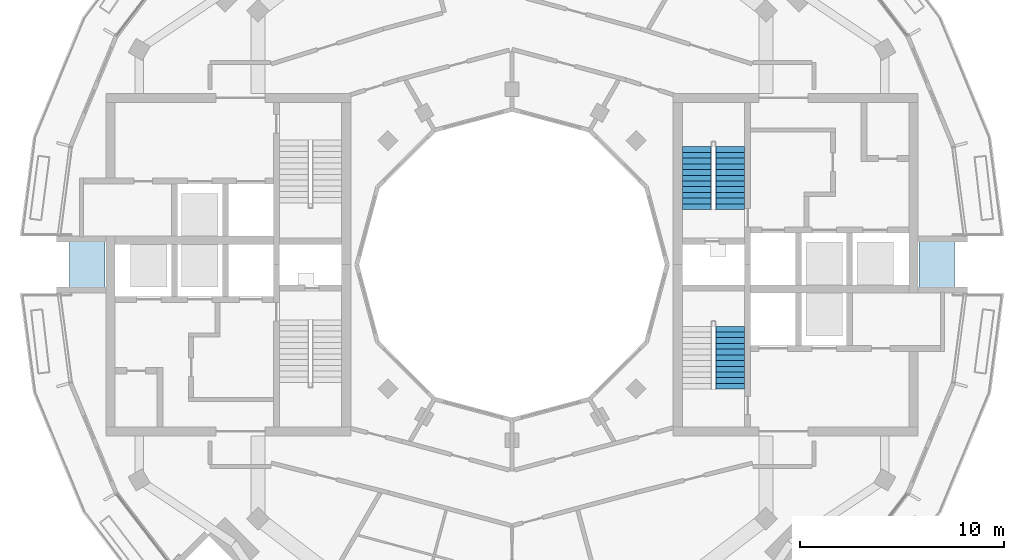
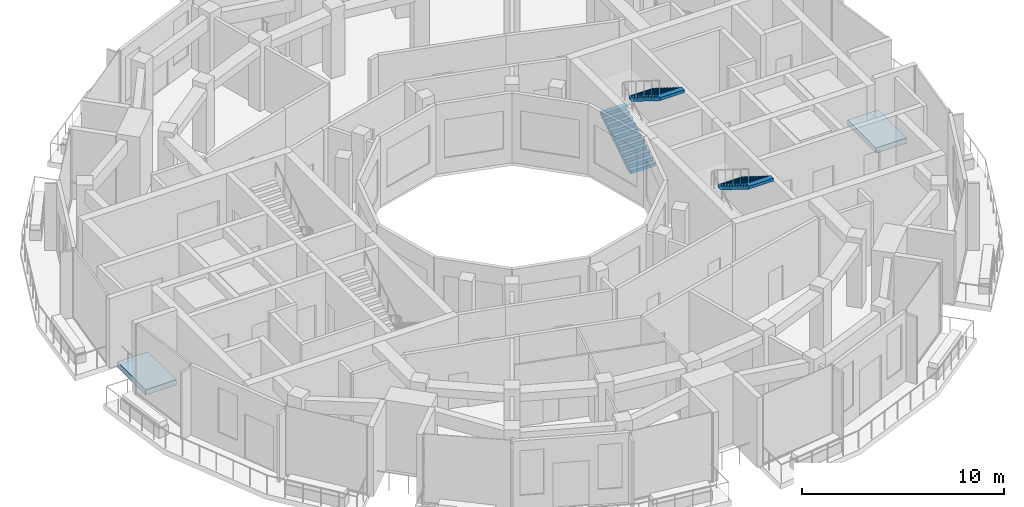
# One storey, part 13 of 16: 3 stair flights, 2 roofs, 2 elements without a shape of their own.
"""IFC4 building model written with IfcOpenShell, lengths in metres."""

from ifc_helpers import new_model, si_unit, direction, frame, origin, place, context, subcontext, project, spatial, polyline, outline, extrude, material, layer, layer_set, type_object, element, aggregate, save


model = new_model("IFC4")

# Units and contexts
model_context = context("Model", 3, precision=1e-05, world=origin(), true_north=direction((0.0, 1.0)))
body_context = subcontext(model_context, "Body", "Model", "MODEL_VIEW")
ifc_project = project(units=[si_unit("LENGTHUNIT", "METRE"), si_unit("AREAUNIT", "SQUARE_METRE"), si_unit("VOLUMEUNIT", "CUBIC_METRE"), si_unit("PLANEANGLEUNIT", "RADIAN"), si_unit("MASSUNIT", "GRAM", prefix="KILO")], contexts=[model_context])

# Site, building, storey
site_placement = place(None, origin())
site = spatial("IfcSite", under=ifc_project, at=site_placement, CompositionType="ELEMENT")
building_placement = place(site_placement, origin())
building = spatial("IfcBuilding", under=site, at=building_placement, Name="Torre Brocal", CompositionType="ELEMENT")
storey_placement = place(building_placement, frame((0.0, 0.0, 292.5)))
storey = spatial("IfcBuildingStorey", under=building, at=storey_placement, Name="L67", CompositionType="ELEMENT", Elevation=292.5)

# Stair, stair flights
ifc_material_1 = material(Name="Concrete C50", Category="concrete")
stair_type = type_object("IfcStairType", Name="EXIT STAIR", PredefinedType="HALF_TURN_STAIR", material=ifc_material_1)
stair_1_placement = place(storey_placement, origin())
stair_1 = element("IfcStair", 1, at=stair_1_placement, inside=storey, type_object=stair_type, Name="EXIT STAIR ST1", PredefinedType="HALF_TURN_STAIR")
ifc_material_2 = material(Name="Concrete C50", Category="concrete")
ifc_layer_1 = layer(ifc_material_2, 0.14990234375)
ifc_layer_set_1 = layer_set([ifc_layer_1], Name="Concrete C50")
stair_flight_type = type_object("IfcStairFlightType", Name="STAIR FLIGHT", PredefinedType="STRAIGHT", material=ifc_layer_set_1)
stair_flight_1_placement = place(storey_placement, frame((89.050048828125, 77.699951171875, 0.0), z_axis=(0.0, 0.0, 1.0), x_axis=(0.0, 1.0, 0.0)))
stair_flight_1 = element("IfcStairFlight", 2, at=stair_flight_1_placement, type_object=stair_flight_type, Name="ST1 flight 1", NumberOfRisers=12, NumberOfTreads=11, PredefinedType="STRAIGHT", RiserHeight=0.175, TreadLength=0.28, context=body_context, shape_type="SweptSolid", body=[
    extrude(outline(polyline([(0.0, 0.0), (0.0, 0.175048828125), (0.280029296875, 0.175048828125), (0.280029296875, 0.35009765625), (0.56005859375, 0.35009765625), (0.56005859375, 0.52490234375), (0.840087890625, 0.52490234375), (0.840087890625, 0.699951171875), (1.1201171875, 0.699951171875), (1.1201171875, 0.875), (1.39990234375, 0.875), (1.39990234375, 1.050048828125), (1.679931640625, 1.050048828125), (1.679931640625, 1.22509765625), (1.9599609375, 1.22509765625), (1.9599609375, 1.39990234375), (2.239990234375, 1.39990234375), (2.239990234375, 1.574951171875), (2.52001953125, 1.574951171875), (2.52001953125, 1.75), (2.800048828125, 1.75), (2.800048828125, 1.925048828125), (3.080078125, 1.925048828125), (3.080078125, 2.10009765625), (3.080078125, 1.748291015625), (0.28271484375, 0.0), (0.0, 0.0)])), frame((0.0, 0.699951171875, 0.0), z_axis=(0.0, -1.0, 0.0), x_axis=(1.0, 0.0, 0.0)), (0.0, 0.0, 1.0), 1.39990234375),
])
stair_flight_2_placement = place(storey_placement, frame((90.699951171875, 80.780029296875, 2.10009765625), z_axis=(0.0, 0.0, 1.0), x_axis=(0.0, -1.0, 0.0)))
stair_flight_2 = element("IfcStairFlight", 3, at=stair_flight_2_placement, type_object=stair_flight_type, Name="ST1 flight 2", NumberOfRisers=12, NumberOfTreads=11, PredefinedType="STRAIGHT", RiserHeight=0.175, TreadLength=0.28, context=body_context, shape_type="SweptSolid", body=[
    extrude(outline(polyline([(0.0, 0.0), (0.0, 0.175048828125), (0.280029296875, 0.175048828125), (0.280029296875, 0.35009765625), (0.56005859375, 0.35009765625), (0.56005859375, 0.52490234375), (0.840087890625, 0.52490234375), (0.840087890625, 0.699951171875), (1.1201171875, 0.699951171875), (1.1201171875, 0.875), (1.39990234375, 0.875), (1.39990234375, 1.050048828125), (1.679931640625, 1.050048828125), (1.679931640625, 1.22509765625), (1.9599609375, 1.22509765625), (1.9599609375, 1.39990234375), (2.239990234375, 1.39990234375), (2.239990234375, 1.574951171875), (2.52001953125, 1.574951171875), (2.52001953125, 1.75), (2.800048828125, 1.75), (2.800048828125, 1.925048828125), (3.080078125, 1.925048828125), (3.080078125, 2.10009765625), (3.080078125, 1.748291015625), (0.28271484375, 0.0), (0.0, 0.0)])), frame((0.0, 0.699951171875, 0.0), z_axis=(0.0, -1.0, 0.0), x_axis=(1.0, 0.0, 0.0)), (0.0, 0.0, 1.0), 1.39990234375),
])
aggregate(stair_1, [stair_flight_1, stair_flight_2])

# Stair, stair flight
stair_2_placement = place(storey_placement, origin())
stair_2 = element("IfcStair", 4, at=stair_2_placement, inside=storey, type_object=stair_type, Name="EXIT STAIR ST2", PredefinedType="HALF_TURN_STAIR")
stair_flight_3_placement = place(storey_placement, frame((90.699951171875, 71.97998046875, 2.10009765625), z_axis=(0.0, 0.0, 1.0), x_axis=(0.0, -1.0, 0.0)))
stair_flight_3 = element("IfcStairFlight", 5, at=stair_flight_3_placement, type_object=stair_flight_type, Name="ST2 flight 2", NumberOfRisers=12, NumberOfTreads=11, PredefinedType="STRAIGHT", RiserHeight=0.175, TreadLength=0.28, context=body_context, shape_type="SweptSolid", body=[
    extrude(outline(polyline([(0.0, 0.0), (0.0, 0.175048828125), (0.280029296875, 0.175048828125), (0.280029296875, 0.35009765625), (0.56005859375, 0.35009765625), (0.56005859375, 0.52490234375), (0.840087890625, 0.52490234375), (0.840087890625, 0.699951171875), (1.1201171875, 0.699951171875), (1.1201171875, 0.875), (1.39990234375, 0.875), (1.39990234375, 1.050048828125), (1.679931640625, 1.050048828125), (1.679931640625, 1.22509765625), (1.9599609375, 1.22509765625), (1.9599609375, 1.39990234375), (2.239990234375, 1.39990234375), (2.239990234375, 1.574951171875), (2.52001953125, 1.574951171875), (2.52001953125, 1.75), (2.800048828125, 1.75), (2.800048828125, 1.925048828125), (3.080078125, 1.925048828125), (3.080078125, 2.10009765625), (3.080078125, 1.748291015625), (0.28271484375, 0.0), (0.0, 0.0)])), frame((0.0, 0.699951171875, 0.0), z_axis=(0.0, -1.0, 0.0), x_axis=(1.0, 0.0, 0.0)), (0.0, 0.0, 1.0), 1.39990234375),
])
aggregate(stair_2, [stair_flight_3])

# Roofs
ifc_material_3 = material(Name="Concrete C45", Category="concrete")
ifc_layer_2 = layer(ifc_material_3, 0.320068359375)
ifc_layer_set_2 = layer_set([ifc_layer_2], Name="Concrete C45")
roof_type = type_object("IfcRoofType", Name="NON-TRAFFICABLE ROOF 320 C45", PredefinedType="FLAT_ROOF", material=ifc_layer_set_2)
roof_1_placement = place(storey_placement, frame((0.0, 0.0, -0.320068359375)))
element("IfcRoof", 6, at=roof_1_placement, inside=storey, type_object=roof_type, Name="NON-TRAFFICABLE ROOF", PredefinedType="FLAT_ROOF", context=body_context, shape_type="SweptSolid", body=[
    extrude(outline(polyline([(60.050048828125, 73.60009765625), (58.300048828125, 73.60009765625), (58.300048828125, 76.39990234375), (60.050048828125, 76.39990234375), (60.050048828125, 73.60009765625)])), origin(), (0.0, 0.0, 1.0), 0.320068359375),
])
roof_2_placement = place(storey_placement, frame((0.0, 0.0, -0.320068359375)))
element("IfcRoof", 7, at=roof_2_placement, inside=storey, type_object=roof_type, Name="NON-TRAFFICABLE ROOF", PredefinedType="FLAT_ROOF", context=body_context, shape_type="SweptSolid", body=[
    extrude(outline(polyline([(99.949951171875, 76.39990234375), (101.699951171875, 76.39990234375), (101.699951171875, 73.60009765625), (99.949951171875, 73.60009765625), (99.949951171875, 76.39990234375)])), origin(), (0.0, 0.0, 1.0), 0.320068359375),
])

save(model, "model.ifc")
